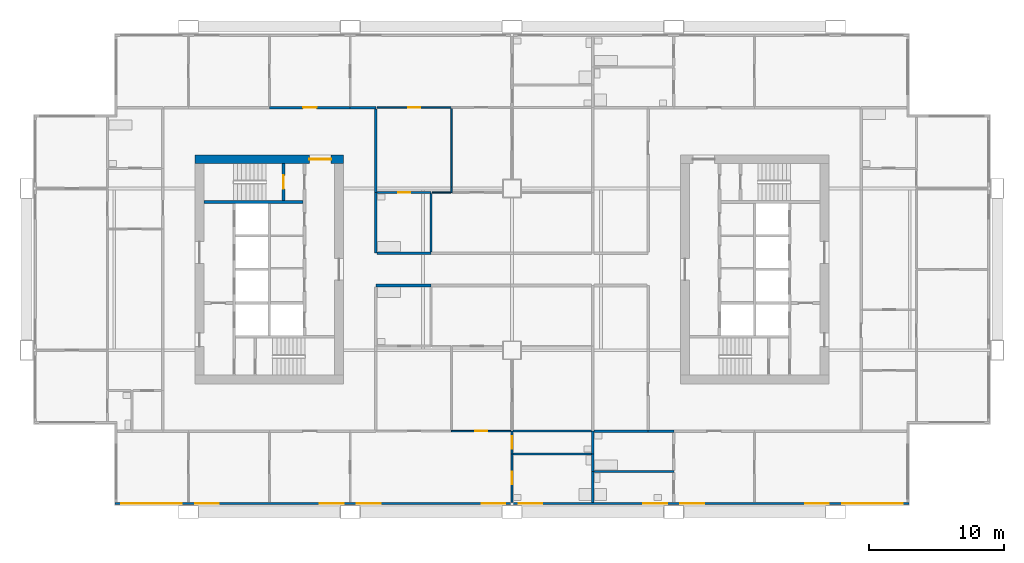
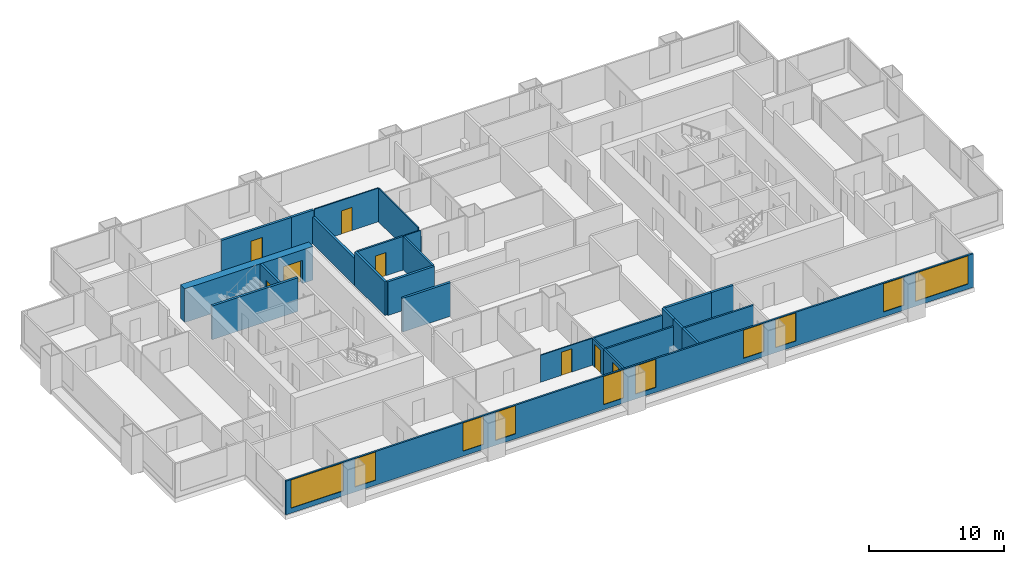
# One storey, part 4 of 10: 27 walls, 10 windows, 8 doors, 18 openings.
"""IFC4 building model written with IfcOpenShell, lengths in metres."""

from ifc_helpers import new_model, si_unit, direction, frame, frame_2d, origin, place, context, subcontext, project, spatial, rectangle, extrude, material, layer, layer_set, type_object, element, fill, save


model = new_model("IFC4")

# Units and contexts
model_context = context("Model", 3, precision=1e-05, world=origin(), true_north=direction((0.0, 1.0)))
body_context = subcontext(model_context, "Body", "Model", "MODEL_VIEW")
ifc_project = project(units=[si_unit("LENGTHUNIT", "METRE"), si_unit("AREAUNIT", "SQUARE_METRE"), si_unit("VOLUMEUNIT", "CUBIC_METRE"), si_unit("PLANEANGLEUNIT", "RADIAN"), si_unit("MASSUNIT", "GRAM", prefix="KILO")], contexts=[model_context])

# Site, building, storey
site_placement = place(None, origin())
site = spatial("IfcSite", under=ifc_project, at=site_placement, CompositionType="ELEMENT")
building_placement = place(site_placement, origin())
building = spatial("IfcBuilding", under=site, at=building_placement, Name="Kitamizu Gate Tower and Museum", CompositionType="ELEMENT")
storey_placement = place(building_placement, frame((0.0, 0.0, 117.300048828125)))
storey = spatial("IfcBuildingStorey", under=building, at=storey_placement, Name="L30", CompositionType="ELEMENT", Elevation=117.300048828125)

# Wall, opening, door
ifc_material_1 = material(Name="Concrete Fc60", Category="concrete")
ifc_layer_1 = layer(ifc_material_1, 0.64990234375)
ifc_layer_set_1 = layer_set([ifc_layer_1], Name="Concrete Fc60")
wall_type_1 = type_object("IfcWallType", Name="Core wall 650", PredefinedType="SHEAR", material=ifc_layer_set_1)
wall_1_placement = place(storey_placement, frame((12.5, 38.175048828125, 0.0), z_axis=(0.0, 0.0, 1.0), x_axis=(1.0, 0.0, 0.0)))
wall_1 = element("IfcWall", 1, at=wall_1_placement, inside=storey, type_object=wall_type_1, Name="Core wall WN", PredefinedType="SHEAR", context=body_context, shape_type="SweptSolid", body=[
    extrude(rectangle(XDim=11.0, YDim=0.64990234375, at=frame_2d((5.5, 0.0))), origin(), (0.0, 0.0, 1.0), 3.050048828125),
])
opening_1_placement = place(wall_1_placement, frame((8.47509765625, 0.0, 0.0)))
opening_1 = element("IfcOpeningElement", 2, at=opening_1_placement, cuts=wall_1, Name="Opening L30-055", PredefinedType="OPENING", context=body_context, shape_type="SweptSolid", body=[
    extrude(rectangle(XDim=1.60009765625, YDim=2.10009765625, at=frame_2d((0.800048828125, 1.050048828125))), frame((0.0, 0.3349609375, 0.0), z_axis=(0.0, -1.0, 0.0), x_axis=(1.0, 0.0, 0.0)), (0.0, 0.0, 1.0), 0.669921875),
])
ifc_material_2 = material(Name="Timber door set", Category="wood")
door_type_1 = type_object("IfcDoorType", Name="Entrance door 1600", OperationType="DOUBLE_DOOR_SINGLE_SWING", PredefinedType="DOOR", material=ifc_material_2)
door_1_placement = place(opening_1_placement, origin())
door_1 = element("IfcDoor", 3, at=door_1_placement, inside=storey, type_object=door_type_1, Name="Lobby door L30-055", OperationType="DOUBLE_DOOR_SINGLE_SWING", OverallHeight=2.10009765625, OverallWidth=1.60009765625, PredefinedType="DOOR", context=body_context, shape_type="SweptSolid", body=[
    extrude(rectangle(XDim=1.60009765625, YDim=2.10009765625, at=frame_2d((0.800048828125, 1.050048828125))), frame((0.0, 0.02490234375, 0.0), z_axis=(0.0, -1.0, 0.0), x_axis=(1.0, 0.0, 0.0)), (0.0, 0.0, 1.0), 0.050048828125),
])
fill(opening_1, door_1)

ifc_material_3 = material(Name="Gypsum board on galvanised stud")
ifc_layer_2 = layer(ifc_material_3, 0.10009765625)
ifc_layer_set_2 = layer_set([ifc_layer_2], Name="Gypsum board on galvanised stud")
wall_type_2 = type_object("IfcWallType", Name="Partition 100 NOT RATED", PredefinedType="PARTITIONING", material=ifc_layer_set_2)
wall_2_placement = place(storey_placement, frame((35.925048828125, 18.0, 0.0), z_axis=(0.0, 0.0, 1.0), x_axis=(-1.0, 0.0, 0.0)))
wall_2 = element("IfcWall", 4, at=wall_2_placement, inside=storey, type_object=wall_type_2, Name="Partition L30-012", PredefinedType="PARTITIONING", context=body_context, shape_type="SweptSolid", body=[
    extrude(rectangle(XDim=4.425048828125, YDim=0.10009765625, at=frame_2d((2.21240234375, 0.0))), origin(), (0.0, 0.0, 1.0), 2.449951171875),
])
opening_2_placement = place(wall_2_placement, frame((1.762451171875, 0.0, 0.0)))
opening_2 = element("IfcOpeningElement", 5, at=opening_2_placement, cuts=wall_2, Name="Opening L30-004", PredefinedType="OPENING", context=body_context, shape_type="SweptSolid", body=[
    extrude(rectangle(XDim=0.89990234375, YDim=2.10009765625, at=frame_2d((0.449951171875, 1.050048828125))), frame((0.0, 0.06005859375, 0.0), z_axis=(0.0, -1.0, 0.0), x_axis=(1.0, 0.0, 0.0)), (0.0, 0.0, 1.0), 0.1201171875),
])
ifc_material_4 = material(Name="Timber door set", Category="wood")
door_type_2 = type_object("IfcDoorType", Name="Room door 900", OperationType="NOTDEFINED", PredefinedType="DOOR", material=ifc_material_4)
door_2_placement = place(opening_2_placement, frame((0.89990234375, 0.0, 0.0), x_axis=(-1.0, 0.0, 0.0)))
door_2 = element("IfcDoor", 6, at=door_2_placement, inside=storey, type_object=door_type_2, Name="Door L30-004", OperationType="SINGLE_SWING_RIGHT", OverallHeight=2.10009765625, OverallWidth=0.89990234375, PredefinedType="DOOR", context=body_context, shape_type="SweptSolid", body=[
    extrude(rectangle(XDim=0.89990234375, YDim=2.10009765625, at=frame_2d((0.449951171875, 1.050048828125))), frame((0.0, 0.02490234375, 0.0), z_axis=(0.0, -1.0, 0.0), x_axis=(1.0, 0.0, 0.0)), (0.0, 0.0, 1.0), 0.050048828125),
])
fill(opening_2, door_2)

wall_3_placement = place(storey_placement, frame((26.0, 42.0, 0.0), z_axis=(0.0, 0.0, 1.0), x_axis=(1.0, 0.0, 0.0)))
wall_3 = element("IfcWall", 7, at=wall_3_placement, inside=storey, type_object=wall_type_2, Name="Partition L30-062", PredefinedType="PARTITIONING", context=body_context, shape_type="SweptSolid", body=[
    extrude(rectangle(XDim=5.5, YDim=0.10009765625, at=frame_2d((2.75, 0.0))), origin(), (0.0, 0.0, 1.0), 3.050048828125),
])
opening_3_placement = place(wall_3_placement, frame((2.300048828125, 0.0, 0.0)))
opening_3 = element("IfcOpeningElement", 8, at=opening_3_placement, cuts=wall_3, Name="Opening L30-022", PredefinedType="OPENING", context=body_context, shape_type="SweptSolid", body=[
    extrude(rectangle(XDim=0.89990234375, YDim=2.10009765625, at=frame_2d((0.449951171875, 1.050048828125))), frame((0.0, 0.06005859375, 0.0), z_axis=(0.0, -1.0, 0.0), x_axis=(1.0, 0.0, 0.0)), (0.0, 0.0, 1.0), 0.1201171875),
])
door_3_placement = place(opening_3_placement, frame((0.89990234375, 0.0, 0.0), x_axis=(-1.0, 0.0, 0.0)))
door_3 = element("IfcDoor", 9, at=door_3_placement, inside=storey, type_object=door_type_2, Name="Door L30-022", OperationType="SINGLE_SWING_RIGHT", OverallHeight=2.10009765625, OverallWidth=0.89990234375, PredefinedType="DOOR", context=body_context, shape_type="SweptSolid", body=[
    extrude(rectangle(XDim=0.89990234375, YDim=2.10009765625, at=frame_2d((0.449951171875, 1.050048828125))), frame((0.0, 0.02490234375, 0.0), z_axis=(0.0, -1.0, 0.0), x_axis=(1.0, 0.0, 0.0)), (0.0, 0.0, 1.0), 0.050048828125),
])
fill(opening_3, door_3)

# Walls
wall_4_placement = place(storey_placement, frame((31.5, 35.699951171875, 0.0), z_axis=(0.0, 0.0, 1.0), x_axis=(0.0, 1.0, 0.0)))
element("IfcWall", 10, at=wall_4_placement, inside=storey, type_object=wall_type_2, Name="Partition L30-070", PredefinedType="PARTITIONING", context=body_context, shape_type="SweptSolid", body=[
    extrude(rectangle(XDim=0.400146484375, YDim=0.10009765625, at=frame_2d((0.2001953125, 0.0))), origin(), (0.0, 0.0, 1.0), 2.449951171875),
])
wall_5_placement = place(storey_placement, frame((31.5, 36.10009765625, 0.0), z_axis=(0.0, 0.0, 1.0), x_axis=(0.0, 1.0, 0.0)))
element("IfcWall", 11, at=wall_5_placement, inside=storey, type_object=wall_type_2, Name="Partition L30-071", PredefinedType="PARTITIONING", context=body_context, shape_type="SweptSolid", body=[
    extrude(rectangle(XDim=5.849853515625, YDim=0.10009765625, at=frame_2d((2.9248046875, 0.0))), origin(), (0.0, 0.0, 1.0), 3.050048828125),
])
wall_6_placement = place(storey_placement, frame((30.074951171875, 35.699951171875, 0.0), z_axis=(0.0, 0.0, 1.0), x_axis=(1.0, 0.0, 0.0)))
element("IfcWall", 12, at=wall_6_placement, inside=storey, type_object=wall_type_2, Name="Partition L30-073", PredefinedType="PARTITIONING", context=body_context, shape_type="SweptSolid", body=[
    extrude(rectangle(XDim=1.375, YDim=0.10009765625, at=frame_2d((0.6875, 0.0))), origin(), (0.0, 0.0, 1.0), 3.050048828125),
])

# Wall, opening, door
ifc_material_5 = material(Name="Gypsum board on galvanised stud")
ifc_layer_3 = layer(ifc_material_5, 0.14990234375)
ifc_layer_set_3 = layer_set([ifc_layer_3], Name="Gypsum board on galvanised stud")
wall_type_3 = type_object("IfcWallType", Name="Partition 150", PredefinedType="PARTITIONING", material=ifc_layer_set_3)
wall_7_placement = place(storey_placement, frame((36.0, 12.719970703125, 0.0), z_axis=(0.0, 0.0, 1.0), x_axis=(0.0, 1.0, 0.0)))
wall_7 = element("IfcWall", 13, at=wall_7_placement, inside=storey, type_object=wall_type_3, Name="Partition L30-009", PredefinedType="PARTITIONING", context=body_context, shape_type="SweptSolid", body=[
    extrude(rectangle(XDim=3.60009765625, YDim=0.14990234375, at=frame_2d((1.800048828125, 0.0))), origin(), (0.0, 0.0, 1.0), 2.449951171875),
])
opening_4_placement = place(wall_7_placement, frame((1.35009765625, 0.0, 0.0)))
opening_4 = element("IfcOpeningElement", 14, at=opening_4_placement, cuts=wall_7, Name="Opening L30-005", PredefinedType="OPENING", context=body_context, shape_type="SweptSolid", body=[
    extrude(rectangle(XDim=0.89990234375, YDim=2.10009765625, at=frame_2d((0.449951171875, 1.050048828125))), frame((0.0, 0.0849609375, 0.0), z_axis=(0.0, -1.0, 0.0), x_axis=(1.0, 0.0, 0.0)), (0.0, 0.0, 1.0), 0.169921875),
])
ifc_material_6 = material(Name="Timber door set", Category="wood")
door_type_3 = type_object("IfcDoorType", Name="Bathroom door 900", OperationType="NOTDEFINED", PredefinedType="DOOR", material=ifc_material_6)
door_4_placement = place(opening_4_placement, frame((0.89990234375, 0.0, 0.0), x_axis=(-1.0, 0.0, 0.0)))
door_4 = element("IfcDoor", 15, at=door_4_placement, inside=storey, type_object=door_type_3, Name="Bathroom door L30-005", OperationType="SINGLE_SWING_LEFT", OverallHeight=2.10009765625, OverallWidth=0.89990234375, PredefinedType="DOOR", context=body_context, shape_type="SweptSolid", body=[
    extrude(rectangle(XDim=0.89990234375, YDim=2.10009765625, at=frame_2d((0.449951171875, 1.050048828125))), frame((0.0, 0.02490234375, 0.0), z_axis=(0.0, -1.0, 0.0), x_axis=(1.0, 0.0, 0.0)), (0.0, 0.0, 1.0), 0.050048828125),
])
fill(opening_4, door_4)

wall_8_placement = place(storey_placement, frame((36.0, 16.320068359375, 0.0), z_axis=(0.0, 0.0, 1.0), x_axis=(0.0, 1.0, 0.0)))
wall_8 = element("IfcWall", 16, at=wall_8_placement, inside=storey, type_object=wall_type_3, Name="Partition L30-010", PredefinedType="PARTITIONING", context=body_context, shape_type="SweptSolid", body=[
    extrude(rectangle(XDim=1.679931640625, YDim=0.14990234375, at=frame_2d((0.83984375, 0.0))), origin(), (0.0, 0.0, 1.0), 2.449951171875),
])
opening_5_placement = place(wall_8_placement, frame((0.389892578125, 0.0, 0.0)))
opening_5 = element("IfcOpeningElement", 17, at=opening_5_placement, cuts=wall_8, Name="Opening L30-007", PredefinedType="OPENING", context=body_context, shape_type="SweptSolid", body=[
    extrude(rectangle(XDim=0.89990234375, YDim=2.10009765625, at=frame_2d((0.449951171875, 1.050048828125))), frame((0.0, 0.0849609375, 0.0), z_axis=(0.0, -1.0, 0.0), x_axis=(1.0, 0.0, 0.0)), (0.0, 0.0, 1.0), 0.169921875),
])
door_5_placement = place(opening_5_placement, frame((0.89990234375, 0.0, 0.0), x_axis=(-1.0, 0.0, 0.0)))
door_5 = element("IfcDoor", 18, at=door_5_placement, inside=storey, type_object=door_type_3, Name="Bathroom door L30-007", OperationType="SINGLE_SWING_LEFT", OverallHeight=2.10009765625, OverallWidth=0.89990234375, PredefinedType="DOOR", context=body_context, shape_type="SweptSolid", body=[
    extrude(rectangle(XDim=0.89990234375, YDim=2.10009765625, at=frame_2d((0.449951171875, 1.050048828125))), frame((0.0, 0.02490234375, 0.0), z_axis=(0.0, -1.0, 0.0), x_axis=(1.0, 0.0, 0.0)), (0.0, 0.0, 1.0), 0.050048828125),
])
fill(opening_5, door_5)

# Walls
for number, where, z_axis, x_axis, name in (
    (19, (41.89990234375, 16.320068359375, 0.0), (0.0, 0.0, 1.0), (-1.0, 0.0, 0.0), "Partition L30-014"),
    (20, (41.89990234375, 18.0, 0.0), (0.0, 0.0, 1.0), (-1.0, 0.0, 0.0), "Partition L30-017"),
):
    element("IfcWall", number, at=place(storey_placement, frame(where, z_axis=z_axis, x_axis=x_axis)), inside=storey, type_object=wall_type_3, Name=name, PredefinedType="PARTITIONING", context=body_context, shape_type="SweptSolid", body=[
        extrude(rectangle(XDim=5.824951171875, YDim=0.14990234375, at=frame_2d((2.91259765625, 0.0))), origin(), (0.0, 0.0, 1.0), 2.449951171875),
    ])

# Wall, opening, door
wall_9_placement = place(storey_placement, frame((26.0, 35.699951171875, 0.0), z_axis=(0.0, 0.0, 1.0), x_axis=(1.0, 0.0, 0.0)))
wall_9 = element("IfcWall", 21, at=wall_9_placement, inside=storey, type_object=wall_type_3, Name="Partition L30-072", PredefinedType="PARTITIONING", context=body_context, shape_type="SweptSolid", body=[
    extrude(rectangle(XDim=4.0, YDim=0.14990234375, at=frame_2d((2.0, 0.0))), origin(), (0.0, 0.0, 1.0), 3.050048828125),
])
opening_6_placement = place(wall_9_placement, frame((1.550048828125, 0.0, 0.0)))
opening_6 = element("IfcOpeningElement", 22, at=opening_6_placement, cuts=wall_9, Name="Opening L30-028", PredefinedType="OPENING", context=body_context, shape_type="SweptSolid", body=[
    extrude(rectangle(XDim=0.89990234375, YDim=2.10009765625, at=frame_2d((0.449951171875, 1.050048828125))), frame((0.0, 0.0849609375, 0.0), z_axis=(0.0, -1.0, 0.0), x_axis=(1.0, 0.0, 0.0)), (0.0, 0.0, 1.0), 0.169921875),
])
door_6_placement = place(opening_6_placement, frame((0.89990234375, 0.0, 0.0), x_axis=(-1.0, 0.0, 0.0)))
door_6 = element("IfcDoor", 23, at=door_6_placement, inside=storey, type_object=door_type_3, Name="Bathroom door L30-028", OperationType="SINGLE_SWING_RIGHT", OverallHeight=2.10009765625, OverallWidth=0.89990234375, PredefinedType="DOOR", context=body_context, shape_type="SweptSolid", body=[
    extrude(rectangle(XDim=0.89990234375, YDim=2.10009765625, at=frame_2d((0.449951171875, 1.050048828125))), frame((0.0, 0.02490234375, 0.0), z_axis=(0.0, -1.0, 0.0), x_axis=(1.0, 0.0, 0.0)), (0.0, 0.0, 1.0), 0.050048828125),
])
fill(opening_6, door_6)

# Walls
wall_10_placement = place(storey_placement, frame((30.0, 31.300048828125, 0.0), z_axis=(0.0, 0.0, 1.0), x_axis=(0.0, 1.0, 0.0)))
element("IfcWall", 24, at=wall_10_placement, inside=storey, type_object=wall_type_3, Name="Partition L30-080", PredefinedType="PARTITIONING", context=body_context, shape_type="SweptSolid", body=[
    extrude(rectangle(XDim=4.324951171875, YDim=0.14990234375, at=frame_2d((2.16259765625, 0.0))), origin(), (0.0, 0.0, 1.0), 3.050048828125),
])
wall_11_placement = place(storey_placement, frame((48.0, 15.0, 0.0), z_axis=(0.0, 0.0, 1.0), x_axis=(-1.0, 0.0, 0.0)))
element("IfcWall", 25, at=wall_11_placement, inside=storey, type_object=wall_type_3, Name="Partition L30-086", PredefinedType="PARTITIONING", context=body_context, shape_type="SweptSolid", body=[
    extrude(rectangle(XDim=5.89990234375, YDim=0.14990234375, at=frame_2d((2.949951171875, 0.0))), origin(), (0.0, 0.0, 1.0), 3.050048828125),
])
ifc_material_7 = material(Name="Gypsum board on galvanised stud")
ifc_layer_4 = layer(ifc_material_7, 0.199951171875)
ifc_layer_set_4 = layer_set([ifc_layer_4], Name="Gypsum board on galvanised stud")
wall_type_4 = type_object("IfcWallType", Name="Partition 200", PredefinedType="PARTITIONING", material=ifc_layer_set_4)
wall_12_placement = place(storey_placement, frame((42.0, 12.719970703125, 0.0), z_axis=(0.0, 0.0, 1.0), x_axis=(0.0, 1.0, 0.0)))
element("IfcWall", 26, at=wall_12_placement, inside=storey, type_object=wall_type_4, Name="Partition L30-015", PredefinedType="PARTITIONING", context=body_context, shape_type="SweptSolid", body=[
    extrude(rectangle(XDim=2.280029296875, YDim=0.199951171875, at=frame_2d((1.14013671875, 0.0))), origin(), (0.0, 0.0, 1.0), 3.050048828125),
])
wall_13_placement = place(storey_placement, frame((42.0, 15.0, 0.0), z_axis=(0.0, 0.0, 1.0), x_axis=(0.0, 1.0, 0.0)))
element("IfcWall", 27, at=wall_13_placement, inside=storey, type_object=wall_type_4, Name="Partition L30-016", PredefinedType="PARTITIONING", context=body_context, shape_type="SweptSolid", body=[
    extrude(rectangle(XDim=1.320068359375, YDim=0.199951171875, at=frame_2d((0.66015625, 0.0))), origin(), (0.0, 0.0, 1.0), 3.050048828125),
])
wall_14_placement = place(storey_placement, frame((42.0, 16.320068359375, 0.0), z_axis=(0.0, 0.0, 1.0), x_axis=(0.0, 1.0, 0.0)))
element("IfcWall", 28, at=wall_14_placement, inside=storey, type_object=wall_type_4, Name="Partition L30-018", PredefinedType="PARTITIONING", context=body_context, shape_type="SweptSolid", body=[
    extrude(rectangle(XDim=1.679931640625, YDim=0.199951171875, at=frame_2d((0.83984375, 0.0))), origin(), (0.0, 0.0, 1.0), 3.050048828125),
])
wall_15_placement = place(storey_placement, frame((30.0, 28.800048828125, 0.0), z_axis=(0.0, 0.0, 1.0), x_axis=(-1.0, 0.0, 0.0)))
element("IfcWall", 29, at=wall_15_placement, inside=storey, type_object=wall_type_4, Name="Partition L30-029", PredefinedType="PARTITIONING", context=body_context, shape_type="SweptSolid", body=[
    extrude(rectangle(XDim=4.10009765625, YDim=0.199951171875, at=frame_2d((2.050048828125, 0.0))), origin(), (0.0, 0.0, 1.0), 3.050048828125),
])

# Wall, opening, door
wall_16_placement = place(storey_placement, frame((18.0, 42.0, 0.0), z_axis=(0.0, 0.0, 1.0), x_axis=(1.0, 0.0, 0.0)))
wall_16 = element("IfcWall", 30, at=wall_16_placement, inside=storey, type_object=wall_type_4, Name="Partition L30-059", PredefinedType="PARTITIONING", context=body_context, shape_type="SweptSolid", body=[
    extrude(rectangle(XDim=6.0, YDim=0.199951171875, at=frame_2d((3.0, 0.0))), origin(), (0.0, 0.0, 1.0), 3.050048828125),
])
opening_7_placement = place(wall_16_placement, frame((2.5, 0.0, 0.0)))
opening_7 = element("IfcOpeningElement", 31, at=opening_7_placement, cuts=wall_16, Name="Opening L30-020", PredefinedType="OPENING", context=body_context, shape_type="SweptSolid", body=[
    extrude(rectangle(XDim=1.0, YDim=2.10009765625, at=frame_2d((0.5, 1.050048828125))), frame((0.0, 0.10986328125, 0.0), z_axis=(0.0, -1.0, 0.0), x_axis=(1.0, 0.0, 0.0)), (0.0, 0.0, 1.0), 0.219970703125),
])
ifc_material_8 = material(Name="Timber door set", Category="wood")
door_type_4 = type_object("IfcDoorType", Name="Flat entrance door 1000", OperationType="NOTDEFINED", PredefinedType="DOOR", material=ifc_material_8)
door_7_placement = place(opening_7_placement, origin())
door_7 = element("IfcDoor", 32, at=door_7_placement, inside=storey, type_object=door_type_4, Name="Flat entrance door L30-020", OperationType="SINGLE_SWING_LEFT", OverallHeight=2.10009765625, OverallWidth=1.0, PredefinedType="DOOR", context=body_context, shape_type="SweptSolid", body=[
    extrude(rectangle(XDim=1.0, YDim=2.10009765625, at=frame_2d((0.5, 1.050048828125))), frame((0.0, 0.02490234375, 0.0), z_axis=(0.0, -1.0, 0.0), x_axis=(1.0, 0.0, 0.0)), (0.0, 0.0, 1.0), 0.050048828125),
])
fill(opening_7, door_7)

# Walls
wall_17_placement = place(storey_placement, frame((24.0, 42.0, 0.0), z_axis=(0.0, 0.0, 1.0), x_axis=(1.0, 0.0, 0.0)))
element("IfcWall", 33, at=wall_17_placement, inside=storey, type_object=wall_type_4, Name="Partition L30-064", PredefinedType="PARTITIONING", context=body_context, shape_type="SweptSolid", body=[
    extrude(rectangle(XDim=1.89990234375, YDim=0.199951171875, at=frame_2d((0.949951171875, 0.0))), origin(), (0.0, 0.0, 1.0), 3.050048828125),
])
wall_18_placement = place(storey_placement, frame((25.89990234375, 41.89990234375, 0.0), z_axis=(0.0, 0.0, 1.0), x_axis=(0.0, -1.0, 0.0)))
element("IfcWall", 34, at=wall_18_placement, inside=storey, type_object=wall_type_4, Name="Partition L30-074", PredefinedType="PARTITIONING", context=body_context, shape_type="SweptSolid", body=[
    extrude(rectangle(XDim=6.199951171875, YDim=0.199951171875, at=frame_2d((3.10009765625, 0.0))), origin(), (0.0, 0.0, 1.0), 2.449951171875),
])
wall_19_placement = place(storey_placement, frame((25.89990234375, 35.699951171875, 0.0), z_axis=(0.0, 0.0, 1.0), x_axis=(0.0, -1.0, 0.0)))
element("IfcWall", 35, at=wall_19_placement, inside=storey, type_object=wall_type_4, Name="Partition L30-081", PredefinedType="PARTITIONING", context=body_context, shape_type="SweptSolid", body=[
    extrude(rectangle(XDim=4.5, YDim=0.199951171875, at=frame_2d((2.25, 0.0))), origin(), (0.0, 0.0, 1.0), 3.050048828125),
])
for number, where, z_axis, x_axis, name in (
    (36, (26.0, 31.199951171875, 0.0), (0.0, 0.0, 1.0), (1.0, 0.0, 0.0), "Partition L30-082"),
    (37, (46.10009765625, 18.0, 0.0), (0.0, 0.0, 1.0), (-1.0, 0.0, 0.0), "Partition L30-089"),
):
    element("IfcWall", number, at=place(storey_placement, frame(where, z_axis=z_axis, x_axis=x_axis)), inside=storey, type_object=wall_type_4, Name=name, PredefinedType="PARTITIONING", context=body_context, shape_type="SweptSolid", body=[
        extrude(rectangle(XDim=4.0, YDim=0.199951171875, at=frame_2d((2.0, 0.0))), origin(), (0.0, 0.0, 1.0), 3.050048828125),
    ])
wall_20_placement = place(storey_placement, frame((48.0, 18.0, 0.0), z_axis=(0.0, 0.0, 1.0), x_axis=(-1.0, 0.0, 0.0)))
element("IfcWall", 38, at=wall_20_placement, inside=storey, type_object=wall_type_4, Name="Partition L30-090", PredefinedType="PARTITIONING", context=body_context, shape_type="SweptSolid", body=[
    extrude(rectangle(XDim=1.89990234375, YDim=0.199951171875, at=frame_2d((0.949951171875, 0.0))), origin(), (0.0, 0.0, 1.0), 3.050048828125),
])
ifc_material_9 = material(Name="Concrete Fc42", Category="concrete")
ifc_layer_5 = layer(ifc_material_9, 0.199951171875)
ifc_layer_set_5 = layer_set([ifc_layer_5], Name="Concrete Fc42")
wall_type_5 = type_object("IfcWallType", Name="Shaft wall 200", PredefinedType="SOLIDWALL", material=ifc_layer_set_5)
wall_21_placement = place(storey_placement, frame((13.14990234375, 35.0, 0.0), z_axis=(0.0, 0.0, 1.0), x_axis=(1.0, 0.0, 0.0)))
element("IfcWall", 39, at=wall_21_placement, inside=storey, type_object=wall_type_5, Name="Shaft wall WNB", PredefinedType="SOLIDWALL", context=body_context, shape_type="SweptSolid", body=[
    extrude(rectangle(XDim=7.35009765625, YDim=0.199951171875, at=frame_2d((3.675048828125, 0.0))), origin(), (0.0, 0.0, 1.0), 3.050048828125),
])

# Wall, opening, door
wall_22_placement = place(storey_placement, frame((19.050048828125, 35.10009765625, 0.0), z_axis=(0.0, 0.0, 1.0), x_axis=(0.0, 1.0, 0.0)))
wall_22 = element("IfcWall", 40, at=wall_22_placement, inside=storey, type_object=wall_type_5, Name="Shaft wall WNZ", PredefinedType="SOLIDWALL", context=body_context, shape_type="SweptSolid", body=[
    extrude(rectangle(XDim=2.75, YDim=0.199951171875, at=frame_2d((1.375, 0.0))), origin(), (0.0, 0.0, 1.0), 3.050048828125),
])
opening_8_placement = place(wall_22_placement, frame((0.875, 0.0, 0.0)))
opening_8 = element("IfcOpeningElement", 41, at=opening_8_placement, cuts=wall_22, Name="Opening L30-051", PredefinedType="OPENING", context=body_context, shape_type="SweptSolid", body=[
    extrude(rectangle(XDim=1.0, YDim=2.10009765625, at=frame_2d((0.5, 1.050048828125))), frame((0.0, 0.10986328125, 0.0), z_axis=(0.0, -1.0, 0.0), x_axis=(1.0, 0.0, 0.0)), (0.0, 0.0, 1.0), 0.219970703125),
])
ifc_material_10 = material(Name="Hollow metal door set")
door_type_5 = type_object("IfcDoorType", Name="Fire door 1000", OperationType="NOTDEFINED", PredefinedType="DOOR", material=ifc_material_10)
door_8_placement = place(opening_8_placement, origin())
door_8 = element("IfcDoor", 42, at=door_8_placement, inside=storey, type_object=door_type_5, Name="Stair door L30-051", OperationType="SINGLE_SWING_RIGHT", OverallHeight=2.10009765625, OverallWidth=1.0, PredefinedType="DOOR", context=body_context, shape_type="SweptSolid", body=[
    extrude(rectangle(XDim=1.0, YDim=2.10009765625, at=frame_2d((0.5, 1.050048828125))), frame((0.0, 0.02490234375, 0.0), z_axis=(0.0, -1.0, 0.0), x_axis=(1.0, 0.0, 0.0)), (0.0, 0.0, 1.0), 0.050048828125),
])
fill(opening_8, door_8)

# Wall, openings, windows
ifc_material_11 = material(Name="Bronze anodised aluminium frame with insulated spandrel and tinted glass", Category="aluminium")
ifc_layer_6 = layer(ifc_material_11, 0.14990234375)
ifc_layer_set_6 = layer_set([ifc_layer_6], Name="Bronze anodised aluminium frame with insulated spandrel and tinted glass")
wall_type_6 = type_object("IfcWallType", Name="WINDOW WALL 150 BRONZE FRAME EI 30", PredefinedType="ELEMENTEDWALL", material=ifc_layer_set_6)
wall_23_placement = place(storey_placement, frame((6.56005859375, 12.635009765625, 0.0), z_axis=(0.0, 0.0, 1.0), x_axis=(1.0, 0.0, 0.0)))
wall_23 = element("IfcWall", 43, at=wall_23_placement, inside=storey, type_object=wall_type_6, Name="Window wall south L30", PredefinedType="ELEMENTEDWALL", context=body_context, shape_type="SweptSolid", body=[
    extrude(rectangle(XDim=58.8798828125, YDim=0.14990234375, at=frame_2d((29.43994140625, 0.0))), origin(), (0.0, 0.0, 1.0), 3.050048828125),
])
opening_9_placement = place(wall_23_placement, frame((0.43994140625, 0.0, 0.449951171875)))
opening_9 = element("IfcOpeningElement", 44, at=opening_9_placement, cuts=wall_23, Name="Opening W15", PredefinedType="OPENING", context=body_context, shape_type="SweptSolid", body=[
    extrude(rectangle(XDim=4.5, YDim=2.550048828125, at=frame_2d((2.25, 1.27490234375))), frame((0.0, 0.0849609375, 0.0), z_axis=(0.0, -1.0, 0.0), x_axis=(1.0, 0.0, 0.0)), (0.0, 0.0, 1.0), 0.169921875),
])
opening_10_placement = place(wall_23_placement, frame((5.93994140625, 0.0, 0.449951171875)))
opening_10 = element("IfcOpeningElement", 45, at=opening_10_placement, cuts=wall_23, Name="Opening W29", PredefinedType="OPENING", context=body_context, shape_type="SweptSolid", body=[
    extrude(rectangle(XDim=1.75, YDim=2.550048828125, at=frame_2d((0.875, 1.27490234375))), frame((0.0, 0.0849609375, 0.0), z_axis=(0.0, -1.0, 0.0), x_axis=(1.0, 0.0, 0.0)), (0.0, 0.0, 1.0), 0.169921875),
])
opening_11_placement = place(wall_23_placement, frame((15.18994140625, 0.0, 0.449951171875)))
opening_11 = element("IfcOpeningElement", 46, at=opening_11_placement, cuts=wall_23, Name="Opening W29", PredefinedType="OPENING", context=body_context, shape_type="SweptSolid", body=[
    extrude(rectangle(XDim=1.75, YDim=2.550048828125, at=frame_2d((0.875, 1.27490234375))), frame((0.0, 0.0849609375, 0.0), z_axis=(0.0, -1.0, 0.0), x_axis=(1.0, 0.0, 0.0)), (0.0, 0.0, 1.0), 0.169921875),
])
opening_12_placement = place(wall_23_placement, frame((17.93994140625, 0.0, 0.449951171875)))
opening_12 = element("IfcOpeningElement", 47, at=opening_12_placement, cuts=wall_23, Name="Opening W29", PredefinedType="OPENING", context=body_context, shape_type="SweptSolid", body=[
    extrude(rectangle(XDim=1.75, YDim=2.550048828125, at=frame_2d((0.875, 1.27490234375))), frame((0.0, 0.0849609375, 0.0), z_axis=(0.0, -1.0, 0.0), x_axis=(1.0, 0.0, 0.0)), (0.0, 0.0, 1.0), 0.169921875),
])
opening_13_placement = place(wall_23_placement, frame((27.18994140625, 0.0, 0.449951171875)))
opening_13 = element("IfcOpeningElement", 48, at=opening_13_placement, cuts=wall_23, Name="Opening W29", PredefinedType="OPENING", context=body_context, shape_type="SweptSolid", body=[
    extrude(rectangle(XDim=1.75, YDim=2.550048828125, at=frame_2d((0.875, 1.27490234375))), frame((0.0, 0.0849609375, 0.0), z_axis=(0.0, -1.0, 0.0), x_axis=(1.0, 0.0, 0.0)), (0.0, 0.0, 1.0), 0.169921875),
])
opening_14_placement = place(wall_23_placement, frame((29.93994140625, 0.0, 0.449951171875)))
opening_14 = element("IfcOpeningElement", 49, at=opening_14_placement, cuts=wall_23, Name="Opening W29", PredefinedType="OPENING", context=body_context, shape_type="SweptSolid", body=[
    extrude(rectangle(XDim=1.75, YDim=2.550048828125, at=frame_2d((0.875, 1.27490234375))), frame((0.0, 0.0849609375, 0.0), z_axis=(0.0, -1.0, 0.0), x_axis=(1.0, 0.0, 0.0)), (0.0, 0.0, 1.0), 0.169921875),
])
opening_15_placement = place(wall_23_placement, frame((39.18994140625, 0.0, 0.449951171875)))
opening_15 = element("IfcOpeningElement", 50, at=opening_15_placement, cuts=wall_23, Name="Opening W29", PredefinedType="OPENING", context=body_context, shape_type="SweptSolid", body=[
    extrude(rectangle(XDim=1.75, YDim=2.550048828125, at=frame_2d((0.875, 1.27490234375))), frame((0.0, 0.0849609375, 0.0), z_axis=(0.0, -1.0, 0.0), x_axis=(1.0, 0.0, 0.0)), (0.0, 0.0, 1.0), 0.169921875),
])
opening_16_placement = place(wall_23_placement, frame((41.93994140625, 0.0, 0.449951171875)))
opening_16 = element("IfcOpeningElement", 51, at=opening_16_placement, cuts=wall_23, Name="Opening W29", PredefinedType="OPENING", context=body_context, shape_type="SweptSolid", body=[
    extrude(rectangle(XDim=1.75, YDim=2.550048828125, at=frame_2d((0.875, 1.27490234375))), frame((0.0, 0.0849609375, 0.0), z_axis=(0.0, -1.0, 0.0), x_axis=(1.0, 0.0, 0.0)), (0.0, 0.0, 1.0), 0.169921875),
])
opening_17_placement = place(wall_23_placement, frame((51.18994140625, 0.0, 0.449951171875)))
opening_17 = element("IfcOpeningElement", 52, at=opening_17_placement, cuts=wall_23, Name="Opening W29", PredefinedType="OPENING", context=body_context, shape_type="SweptSolid", body=[
    extrude(rectangle(XDim=1.75, YDim=2.550048828125, at=frame_2d((0.875, 1.27490234375))), frame((0.0, 0.0849609375, 0.0), z_axis=(0.0, -1.0, 0.0), x_axis=(1.0, 0.0, 0.0)), (0.0, 0.0, 1.0), 0.169921875),
])
opening_18_placement = place(wall_23_placement, frame((53.93994140625, 0.0, 0.449951171875)))
opening_18 = element("IfcOpeningElement", 53, at=opening_18_placement, cuts=wall_23, Name="Opening W15", PredefinedType="OPENING", context=body_context, shape_type="SweptSolid", body=[
    extrude(rectangle(XDim=4.5, YDim=2.550048828125, at=frame_2d((2.25, 1.27490234375))), frame((0.0, 0.0849609375, 0.0), z_axis=(0.0, -1.0, 0.0), x_axis=(1.0, 0.0, 0.0)), (0.0, 0.0, 1.0), 0.169921875),
])
ifc_material_12 = material(Name="Bronze anodised aluminium frame, tinted triple glazing", Category="aluminium")
window_type_1 = type_object("IfcWindowType", Name="WINDOW 1750 x 2550 SILL 450", PartitioningType="SINGLE_PANEL", PredefinedType="WINDOW", material=ifc_material_12)
window_1_placement = place(opening_10_placement, origin())
window_1 = element("IfcWindow", 54, at=window_1_placement, inside=storey, type_object=window_type_1, Name="Window W29 L30", OverallHeight=2.550048828125, OverallWidth=1.75, PartitioningType="SINGLE_PANEL", PredefinedType="WINDOW", context=body_context, shape_type="SweptSolid", body=[
    extrude(rectangle(XDim=1.75, YDim=2.550048828125, at=frame_2d((0.875, 1.27490234375))), frame((0.0, 0.030029296875, 0.0), z_axis=(0.0, -1.0, 0.0), x_axis=(1.0, 0.0, 0.0)), (0.0, 0.0, 1.0), 0.06005859375),
])
fill(opening_10, window_1)
window_2_placement = place(opening_11_placement, origin())
window_2 = element("IfcWindow", 55, at=window_2_placement, inside=storey, type_object=window_type_1, Name="Window W29 L30", OverallHeight=2.550048828125, OverallWidth=1.75, PartitioningType="SINGLE_PANEL", PredefinedType="WINDOW", context=body_context, shape_type="SweptSolid", body=[
    extrude(rectangle(XDim=1.75, YDim=2.550048828125, at=frame_2d((0.875, 1.27490234375))), frame((0.0, 0.030029296875, 0.0), z_axis=(0.0, -1.0, 0.0), x_axis=(1.0, 0.0, 0.0)), (0.0, 0.0, 1.0), 0.06005859375),
])
fill(opening_11, window_2)
window_3_placement = place(opening_12_placement, origin())
window_3 = element("IfcWindow", 56, at=window_3_placement, inside=storey, type_object=window_type_1, Name="Window W29 L30", OverallHeight=2.550048828125, OverallWidth=1.75, PartitioningType="SINGLE_PANEL", PredefinedType="WINDOW", context=body_context, shape_type="SweptSolid", body=[
    extrude(rectangle(XDim=1.75, YDim=2.550048828125, at=frame_2d((0.875, 1.27490234375))), frame((0.0, 0.030029296875, 0.0), z_axis=(0.0, -1.0, 0.0), x_axis=(1.0, 0.0, 0.0)), (0.0, 0.0, 1.0), 0.06005859375),
])
fill(opening_12, window_3)
window_4_placement = place(opening_13_placement, origin())
window_4 = element("IfcWindow", 57, at=window_4_placement, inside=storey, type_object=window_type_1, Name="Window W29 L30", OverallHeight=2.550048828125, OverallWidth=1.75, PartitioningType="SINGLE_PANEL", PredefinedType="WINDOW", context=body_context, shape_type="SweptSolid", body=[
    extrude(rectangle(XDim=1.75, YDim=2.550048828125, at=frame_2d((0.875, 1.27490234375))), frame((0.0, 0.030029296875, 0.0), z_axis=(0.0, -1.0, 0.0), x_axis=(1.0, 0.0, 0.0)), (0.0, 0.0, 1.0), 0.06005859375),
])
fill(opening_13, window_4)
window_5_placement = place(opening_14_placement, origin())
window_5 = element("IfcWindow", 58, at=window_5_placement, inside=storey, type_object=window_type_1, Name="Window W29 L30", OverallHeight=2.550048828125, OverallWidth=1.75, PartitioningType="SINGLE_PANEL", PredefinedType="WINDOW", context=body_context, shape_type="SweptSolid", body=[
    extrude(rectangle(XDim=1.75, YDim=2.550048828125, at=frame_2d((0.875, 1.27490234375))), frame((0.0, 0.030029296875, 0.0), z_axis=(0.0, -1.0, 0.0), x_axis=(1.0, 0.0, 0.0)), (0.0, 0.0, 1.0), 0.06005859375),
])
fill(opening_14, window_5)
window_6_placement = place(opening_15_placement, origin())
window_6 = element("IfcWindow", 59, at=window_6_placement, inside=storey, type_object=window_type_1, Name="Window W29 L30", OverallHeight=2.550048828125, OverallWidth=1.75, PartitioningType="SINGLE_PANEL", PredefinedType="WINDOW", context=body_context, shape_type="SweptSolid", body=[
    extrude(rectangle(XDim=1.75, YDim=2.550048828125, at=frame_2d((0.875, 1.27490234375))), frame((0.0, 0.030029296875, 0.0), z_axis=(0.0, -1.0, 0.0), x_axis=(1.0, 0.0, 0.0)), (0.0, 0.0, 1.0), 0.06005859375),
])
fill(opening_15, window_6)
window_7_placement = place(opening_16_placement, origin())
window_7 = element("IfcWindow", 60, at=window_7_placement, inside=storey, type_object=window_type_1, Name="Window W29 L30", OverallHeight=2.550048828125, OverallWidth=1.75, PartitioningType="SINGLE_PANEL", PredefinedType="WINDOW", context=body_context, shape_type="SweptSolid", body=[
    extrude(rectangle(XDim=1.75, YDim=2.550048828125, at=frame_2d((0.875, 1.27490234375))), frame((0.0, 0.030029296875, 0.0), z_axis=(0.0, -1.0, 0.0), x_axis=(1.0, 0.0, 0.0)), (0.0, 0.0, 1.0), 0.06005859375),
])
fill(opening_16, window_7)
window_8_placement = place(opening_17_placement, origin())
window_8 = element("IfcWindow", 61, at=window_8_placement, inside=storey, type_object=window_type_1, Name="Window W29 L30", OverallHeight=2.550048828125, OverallWidth=1.75, PartitioningType="SINGLE_PANEL", PredefinedType="WINDOW", context=body_context, shape_type="SweptSolid", body=[
    extrude(rectangle(XDim=1.75, YDim=2.550048828125, at=frame_2d((0.875, 1.27490234375))), frame((0.0, 0.030029296875, 0.0), z_axis=(0.0, -1.0, 0.0), x_axis=(1.0, 0.0, 0.0)), (0.0, 0.0, 1.0), 0.06005859375),
])
fill(opening_17, window_8)
ifc_material_13 = material(Name="Bronze anodised aluminium frame, tinted triple glazing", Category="aluminium")
window_type_2 = type_object("IfcWindowType", Name="WINDOW 4500 x 2550 SILL 450", PartitioningType="SINGLE_PANEL", PredefinedType="WINDOW", material=ifc_material_13)
window_9_placement = place(opening_9_placement, origin())
window_9 = element("IfcWindow", 62, at=window_9_placement, inside=storey, type_object=window_type_2, Name="Window W15 L30", OverallHeight=2.550048828125, OverallWidth=4.5, PartitioningType="SINGLE_PANEL", PredefinedType="WINDOW", context=body_context, shape_type="SweptSolid", body=[
    extrude(rectangle(XDim=4.5, YDim=2.550048828125, at=frame_2d((2.25, 1.27490234375))), frame((0.0, 0.030029296875, 0.0), z_axis=(0.0, -1.0, 0.0), x_axis=(1.0, 0.0, 0.0)), (0.0, 0.0, 1.0), 0.06005859375),
])
fill(opening_9, window_9)
window_10_placement = place(opening_18_placement, origin())
window_10 = element("IfcWindow", 63, at=window_10_placement, inside=storey, type_object=window_type_2, Name="Window W15 L30", OverallHeight=2.550048828125, OverallWidth=4.5, PartitioningType="SINGLE_PANEL", PredefinedType="WINDOW", context=body_context, shape_type="SweptSolid", body=[
    extrude(rectangle(XDim=4.5, YDim=2.550048828125, at=frame_2d((2.25, 1.27490234375))), frame((0.0, 0.030029296875, 0.0), z_axis=(0.0, -1.0, 0.0), x_axis=(1.0, 0.0, 0.0)), (0.0, 0.0, 1.0), 0.06005859375),
])
fill(opening_18, window_10)

save(model, "model.ifc")
